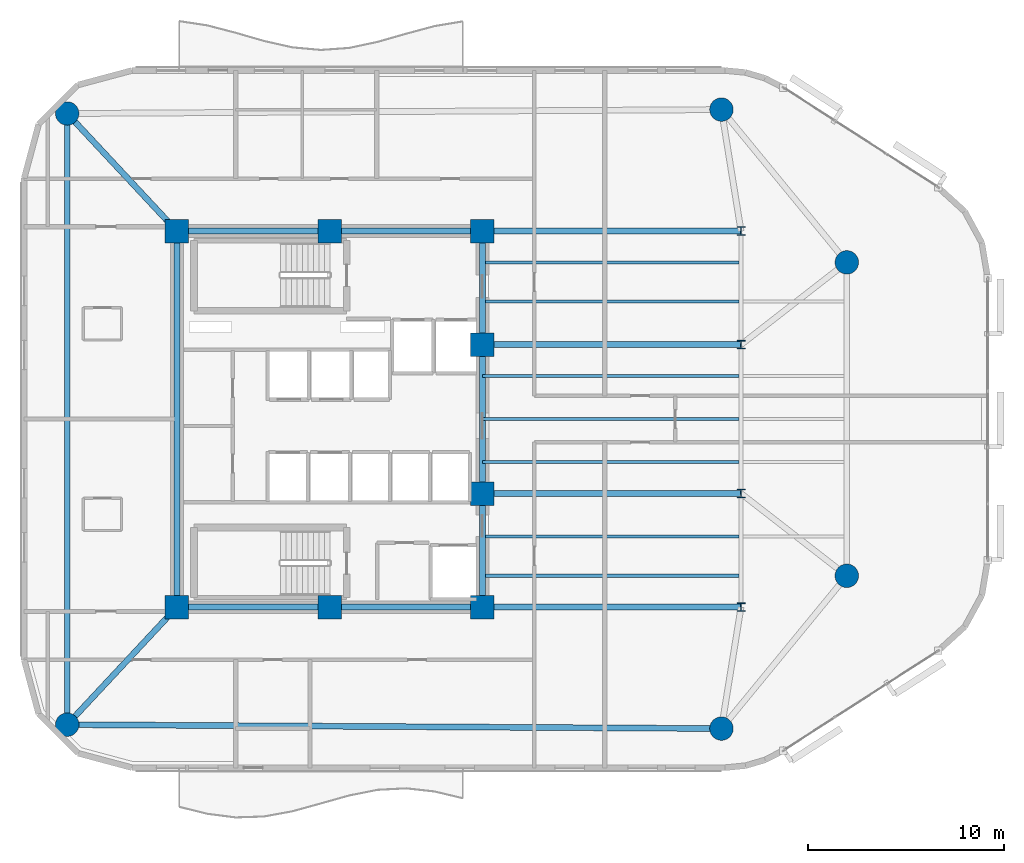
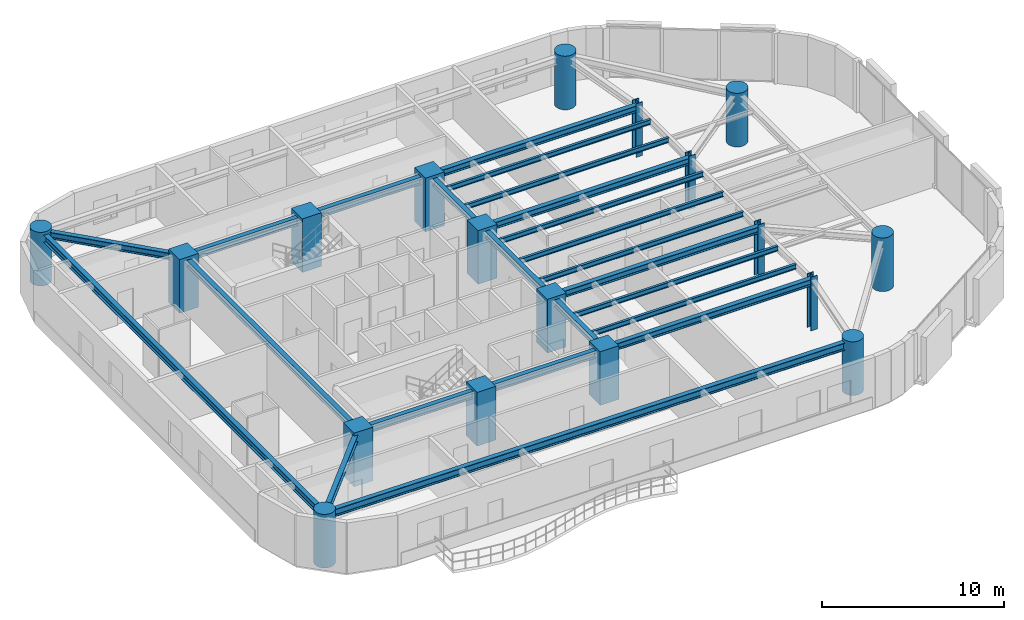
# One storey, part 1 of 15: 21 beams, 18 columns.
"""IFC4 building model written with IfcOpenShell, lengths in metres."""

from ifc_helpers import new_model, si_unit, direction, frame, origin, origin_2d, place, context, subcontext, project, spatial, rectangle, circle, i_section, extrude, material, material_profile, profile_set, type_object, element, save


model = new_model("IFC4")

# Units and contexts
model_context = context("Model", 3, precision=1e-05, world=origin(), true_north=direction((0.0, 1.0)))
body_context = subcontext(model_context, "Body", "Model", "MODEL_VIEW")
ifc_project = project(units=[si_unit("LENGTHUNIT", "METRE"), si_unit("AREAUNIT", "SQUARE_METRE"), si_unit("VOLUMEUNIT", "CUBIC_METRE"), si_unit("PLANEANGLEUNIT", "RADIAN"), si_unit("MASSUNIT", "GRAM", prefix="KILO")], contexts=[model_context])

# Site, building, storey
site_placement = place(None, origin())
site = spatial("IfcSite", under=ifc_project, at=site_placement, CompositionType="ELEMENT")
building_placement = place(site_placement, origin())
building = spatial("IfcBuilding", under=site, at=building_placement, Name="An Khanh Terracotta Commons", CompositionType="ELEMENT")
storey_placement = place(building_placement, frame((0.0, 0.0, 179.800048828125)))
storey = spatial("IfcBuildingStorey", under=building, at=storey_placement, Name="L47", CompositionType="ELEMENT", Elevation=179.800048828125)

# Columns
ifc_material_1 = material(Name="Concrete C60/75", Category="concrete")
ifc_material_profile_1 = material_profile(ifc_material_1, circle(Radius=0.60009765625, at=origin_2d()), Name="CFST1200")
ifc_profile_set_1 = profile_set([ifc_material_profile_1], Name="Concrete C60/75")
column_type_1 = type_object("IfcColumnType", Name="COL-CFST1200", PredefinedType="COLUMN", material=ifc_profile_set_1)
for number, where, z_axis, x_axis, name in (
    (1, (16.0, 8.39990234375, 0.0), (0.0, 0.0, 1.0), (1.0, 0.0, 0.0), "L47 Perimeter CFST Mega-Column MC-01"),
    (2, (49.39990234375, 8.199951171875, 0.0), (0.0, 0.0, 1.0), (1.0, 0.0, 0.0), "L47 Perimeter CFST Mega-Column MC-02"),
    (3, (55.800048828125, 16.0, 0.0), (0.0, 0.0, 1.0), (1.0, 0.0, 0.0), "L47 Perimeter CFST Mega-Column MC-03"),
    (4, (55.800048828125, 32.0, 0.0), (0.0, 0.0, 1.0), (1.0, 0.0, 0.0), "L47 Perimeter CFST Mega-Column MC-04"),
    (5, (49.39990234375, 39.800048828125, 0.0), (0.0, 0.0, 1.0), (1.0, 0.0, 0.0), "L47 Perimeter CFST Mega-Column MC-05"),
    (6, (16.0, 39.60009765625, 0.0), (0.0, 0.0, 1.0), (1.0, 0.0, 0.0), "L47 Perimeter CFST Mega-Column MC-06"),
):
    element("IfcColumn", number, at=place(storey_placement, frame(where, z_axis=z_axis, x_axis=x_axis)), inside=storey, type_object=column_type_1, Name=name, PredefinedType="COLUMN", context=body_context, shape_type="SweptSolid", body=[
        extrude(circle(Radius=0.60009765625, at=origin_2d()), origin(), (0.0, 0.0, 1.0), 3.599853515625),
    ])
ifc_material_2 = material(Name="Steel S460ML", Category="steel")
ifc_material_profile_2 = material_profile(ifc_material_2, i_section(OverallWidth=0.406005859375, OverallDepth=0.43994140625, WebThickness=0.02392578125, FlangeThickness=0.0390625, FilletRadius=0.014892578125, at=origin_2d()), Name="HD400x314")
ifc_profile_set_2 = profile_set([ifc_material_profile_2], Name="Steel S460ML")
column_type_2 = type_object("IfcColumnType", Name="COL-HD400x314", PredefinedType="COLUMN", material=ifc_profile_set_2)
for number, where, z_axis, x_axis, name in (
    (7, (50.39990234375, 14.39990234375, 0.0), (0.0, 0.0, 1.0), (1.0, 0.0, 0.0), "L47 Interior Frame Column TC-01"),
    (8, (50.39990234375, 20.199951171875, 0.0), (0.0, 0.0, 1.0), (1.0, 0.0, 0.0), "L47 Interior Frame Column TC-02"),
    (9, (50.39990234375, 27.800048828125, 0.0), (0.0, 0.0, 1.0), (1.0, 0.0, 0.0), "L47 Interior Frame Column TC-03"),
    (10, (50.39990234375, 33.60009765625, 0.0), (0.0, 0.0, 1.0), (1.0, 0.0, 0.0), "L47 Interior Frame Column TC-04"),
):
    element("IfcColumn", number, at=place(storey_placement, frame(where, z_axis=z_axis, x_axis=x_axis)), inside=storey, type_object=column_type_2, Name=name, PredefinedType="COLUMN", context=body_context, shape_type="SweptSolid", body=[
        extrude(i_section(OverallWidth=0.406005859375, OverallDepth=0.43994140625, WebThickness=0.02392578125, FlangeThickness=0.0390625, FilletRadius=0.014892578125, at=origin_2d()), origin(), (0.0, 0.0, 1.0), 3.599853515625),
    ])
ifc_material_profile_3 = material_profile(ifc_material_1, rectangle(XDim=1.199951171875, YDim=1.199951171875, at=origin_2d()), Name="RC1200x1200")
ifc_profile_set_3 = profile_set([ifc_material_profile_3], Name="Concrete C60/75")
column_type_3 = type_object("IfcColumnType", Name="COL-RC1200x1200", PredefinedType="COLUMN", material=ifc_profile_set_3)
for number, where, z_axis, x_axis, name in (
    (11, (21.60009765625, 14.39990234375, 0.0), (0.0, 0.0, 1.0), (1.0, 0.0, 0.0), "L47 Core Boundary Column CC-01"),
    (12, (29.39990234375, 14.39990234375, 0.0), (0.0, 0.0, 1.0), (1.0, 0.0, 0.0), "L47 Core Boundary Column CC-02"),
    (13, (37.199951171875, 14.39990234375, 0.0), (0.0, 0.0, 1.0), (1.0, 0.0, 0.0), "L47 Core Boundary Column CC-03"),
    (14, (37.199951171875, 20.199951171875, 0.0), (0.0, 0.0, 1.0), (1.0, 0.0, 0.0), "L47 Core Boundary Column CC-04"),
    (15, (37.199951171875, 27.800048828125, 0.0), (0.0, 0.0, 1.0), (1.0, 0.0, 0.0), "L47 Core Boundary Column CC-05"),
    (16, (37.199951171875, 33.60009765625, 0.0), (0.0, 0.0, 1.0), (1.0, 0.0, 0.0), "L47 Core Boundary Column CC-06"),
    (17, (29.39990234375, 33.60009765625, 0.0), (0.0, 0.0, 1.0), (1.0, 0.0, 0.0), "L47 Core Boundary Column CC-07"),
    (18, (21.60009765625, 33.60009765625, 0.0), (0.0, 0.0, 1.0), (1.0, 0.0, 0.0), "L47 Core Boundary Column CC-08"),
):
    element("IfcColumn", number, at=place(storey_placement, frame(where, z_axis=z_axis, x_axis=x_axis)), inside=storey, type_object=column_type_3, Name=name, PredefinedType="COLUMN", context=body_context, shape_type="SweptSolid", body=[
        extrude(rectangle(XDim=1.199951171875, YDim=1.199951171875, at=origin_2d()), origin(), (0.0, 0.0, 1.0), 3.599853515625),
    ])

# Beams
ifc_material_3 = material(Name="Steel S355J2", Category="steel")
ifc_material_profile_4 = material_profile(ifc_material_3, i_section(OverallWidth=0.300048828125, OverallDepth=0.449951171875, WebThickness=0.013916015625, FlangeThickness=0.02587890625, FilletRadius=0.027099609375, at=origin_2d()), Name="HEB450")
ifc_profile_set_4 = profile_set([ifc_material_profile_4], Name="Steel S355J2")
beam_type_1 = type_object("IfcBeamType", Name="BM-HEB450", PredefinedType="BEAM", material=ifc_profile_set_4)
beam_1_placement = place(storey_placement, frame((37.199951171875, 14.39990234375, 3.175048828125), z_axis=(0.0, 1.0, 0.0), x_axis=(-1.0, 0.0, 0.0)))
element("IfcBeam", 19, at=beam_1_placement, inside=storey, type_object=beam_type_1, Name="L47 Core East Coupling Girder 1", PredefinedType="BEAM", context=body_context, shape_type="SweptSolid", body=[
    extrude(i_section(OverallWidth=0.300048828125, OverallDepth=0.449951171875, WebThickness=0.013916015625, FlangeThickness=0.02587890625, FilletRadius=0.027099609375, at=origin_2d()), origin(), (0.0, 0.0, 1.0), 5.800048828125),
])
beam_2_placement = place(storey_placement, frame((37.199951171875, 20.199951171875, 3.175048828125), z_axis=(0.0, 1.0, 0.0), x_axis=(-1.0, 0.0, 0.0)))
element("IfcBeam", 20, at=beam_2_placement, inside=storey, type_object=beam_type_1, Name="L47 Core East Coupling Girder 2", PredefinedType="BEAM", context=body_context, shape_type="SweptSolid", body=[
    extrude(i_section(OverallWidth=0.300048828125, OverallDepth=0.449951171875, WebThickness=0.013916015625, FlangeThickness=0.02587890625, FilletRadius=0.027099609375, at=origin_2d()), origin(), (0.0, 0.0, 1.0), 7.60009765625),
])
beam_3_placement = place(storey_placement, frame((37.199951171875, 27.800048828125, 3.175048828125), z_axis=(0.0, 1.0, 0.0), x_axis=(-1.0, 0.0, 0.0)))
element("IfcBeam", 21, at=beam_3_placement, inside=storey, type_object=beam_type_1, Name="L47 Core East Coupling Girder 3", PredefinedType="BEAM", context=body_context, shape_type="SweptSolid", body=[
    extrude(i_section(OverallWidth=0.300048828125, OverallDepth=0.449951171875, WebThickness=0.013916015625, FlangeThickness=0.02587890625, FilletRadius=0.027099609375, at=origin_2d()), origin(), (0.0, 0.0, 1.0), 5.800048828125),
])
beam_4_placement = place(storey_placement, frame((21.60009765625, 14.39990234375, 3.175048828125), z_axis=(0.0, 1.0, 0.0), x_axis=(-1.0, 0.0, 0.0)))
element("IfcBeam", 22, at=beam_4_placement, inside=storey, type_object=beam_type_1, Name="L47 Core West Coupling Girder", PredefinedType="BEAM", context=body_context, shape_type="SweptSolid", body=[
    extrude(i_section(OverallWidth=0.300048828125, OverallDepth=0.449951171875, WebThickness=0.013916015625, FlangeThickness=0.02587890625, FilletRadius=0.027099609375, at=origin_2d()), origin(), (0.0, 0.0, 1.0), 19.2001953125),
])
for number, where, z_axis, x_axis, name in (
    (23, (37.199951171875, 14.39990234375, 3.175048828125), (1.0, 0.0, 0.0), (0.0, 1.0, 0.0), "L47 East Primary Floor Girder 1"),
    (24, (37.199951171875, 20.199951171875, 3.175048828125), (1.0, 0.0, 0.0), (0.0, 1.0, 0.0), "L47 East Primary Floor Girder 2"),
    (25, (37.199951171875, 27.800048828125, 3.175048828125), (1.0, 0.0, 0.0), (0.0, 1.0, 0.0), "L47 East Primary Floor Girder 3"),
    (26, (37.199951171875, 33.60009765625, 3.175048828125), (1.0, 0.0, 0.0), (0.0, 1.0, 0.0), "L47 East Primary Floor Girder 4"),
):
    element("IfcBeam", number, at=place(storey_placement, frame(where, z_axis=z_axis, x_axis=x_axis)), inside=storey, type_object=beam_type_1, Name=name, PredefinedType="BEAM", context=body_context, shape_type="SweptSolid", body=[
        extrude(i_section(OverallWidth=0.300048828125, OverallDepth=0.449951171875, WebThickness=0.013916015625, FlangeThickness=0.02587890625, FilletRadius=0.027099609375, at=origin_2d()), origin(), (0.0, 0.0, 1.0), 13.199951171875),
    ])
for number, where, z_axis, x_axis, name in (
    (27, (16.0, 8.39990234375, 3.175048828125), (0.682324609438, 0.731049333052, 0.0), (-0.731049333052, 0.682324609438, 0.0), "L47 Mega-Column Tie Girder 1"),
    (28, (16.0, 39.60009765625, 3.175048828125), (0.682324609438, -0.731049333052, 0.0), (0.731049333052, 0.682324609438, 0.0), "L47 Mega-Column Tie Girder 6"),
):
    element("IfcBeam", number, at=place(storey_placement, frame(where, z_axis=z_axis, x_axis=x_axis)), inside=storey, type_object=beam_type_1, Name=name, PredefinedType="BEAM", context=body_context, shape_type="SweptSolid", body=[
        extrude(i_section(OverallWidth=0.300048828125, OverallDepth=0.449951171875, WebThickness=0.013916015625, FlangeThickness=0.02587890625, FilletRadius=0.027099609375, at=origin_2d()), origin(), (0.0, 0.0, 1.0), 8.207275390625),
    ])
ifc_material_profile_5 = material_profile(ifc_material_3, i_section(OverallWidth=0.300048828125, OverallDepth=0.5, WebThickness=0.014404296875, FlangeThickness=0.028076171875, FilletRadius=0.027099609375, at=origin_2d()), Name="HEB500")
ifc_profile_set_5 = profile_set([ifc_material_profile_5], Name="Steel S355J2")
beam_type_2 = type_object("IfcBeamType", Name="BM-HEB500", PredefinedType="BEAM", material=ifc_profile_set_5)
for number, where, z_axis, x_axis, name in (
    (29, (21.60009765625, 14.39990234375, 3.14990234375), (1.0, 0.0, 0.0), (0.0, 1.0, 0.0), "L47 Core South Coupling Girder"),
    (30, (21.60009765625, 33.60009765625, 3.14990234375), (1.0, 0.0, 0.0), (0.0, 1.0, 0.0), "L47 Core North Coupling Girder"),
):
    element("IfcBeam", number, at=place(storey_placement, frame(where, z_axis=z_axis, x_axis=x_axis)), inside=storey, type_object=beam_type_2, Name=name, PredefinedType="BEAM", context=body_context, shape_type="SweptSolid", body=[
        extrude(i_section(OverallWidth=0.300048828125, OverallDepth=0.5, WebThickness=0.014404296875, FlangeThickness=0.028076171875, FilletRadius=0.027099609375, at=origin_2d()), origin(), (0.0, 0.0, 1.0), 15.599853515625),
    ])
beam_5_placement = place(storey_placement, frame((16.0, 8.39990234375, 3.14990234375), z_axis=(0.999982080914, -0.005986472262, 0.0), x_axis=(0.005986472262, 0.999982080914, 0.0)))
element("IfcBeam", 31, at=beam_5_placement, inside=storey, type_object=beam_type_2, Name="L47 Perimeter Ring Spandrel 1", PredefinedType="BEAM", context=body_context, shape_type="SweptSolid", body=[
    extrude(i_section(OverallWidth=0.300048828125, OverallDepth=0.5, WebThickness=0.014404296875, FlangeThickness=0.028076171875, FilletRadius=0.027099609375, at=origin_2d()), origin(), (0.0, 0.0, 1.0), 33.400390625),
])
beam_6_placement = place(storey_placement, frame((16.0, 39.60009765625, 3.14990234375), z_axis=(0.0, -1.0, 0.0), x_axis=(1.0, 0.0, 0.0)))
element("IfcBeam", 32, at=beam_6_placement, inside=storey, type_object=beam_type_2, Name="L47 Perimeter Ring Spandrel 6", PredefinedType="BEAM", context=body_context, shape_type="SweptSolid", body=[
    extrude(i_section(OverallWidth=0.300048828125, OverallDepth=0.5, WebThickness=0.014404296875, FlangeThickness=0.028076171875, FilletRadius=0.027099609375, at=origin_2d()), origin(), (0.0, 0.0, 1.0), 31.2001953125),
])
ifc_material_profile_6 = material_profile(ifc_material_3, i_section(OverallWidth=0.159912109375, OverallDepth=0.330078125, WebThickness=0.007568359375, FlangeThickness=0.011474609375, FilletRadius=0.01806640625, at=origin_2d()), Name="IPE330")
ifc_profile_set_6 = profile_set([ifc_material_profile_6], Name="Steel S355J2")
beam_type_3 = type_object("IfcBeamType", Name="BM-IPE330", PredefinedType="JOIST", material=ifc_profile_set_6)
for number, where, z_axis, x_axis, name in (
    (33, (37.199951171875, 16.0, 3.23486328125), (1.0, 0.0, 0.0), (0.0, 1.0, 0.0), "L47 Inboard Composite Joist 1"),
    (34, (37.199951171875, 18.0, 3.23486328125), (1.0, 0.0, 0.0), (0.0, 1.0, 0.0), "L47 Inboard Composite Joist 2"),
    (35, (37.199951171875, 21.800048828125, 3.23486328125), (1.0, 0.0, 0.0), (0.0, 1.0, 0.0), "L47 Inboard Composite Joist 3"),
    (36, (37.199951171875, 24.0, 3.23486328125), (1.0, 0.0, 0.0), (0.0, 1.0, 0.0), "L47 Inboard Composite Joist 4"),
    (37, (37.199951171875, 26.199951171875, 3.23486328125), (1.0, 0.0, 0.0), (0.0, 1.0, 0.0), "L47 Inboard Composite Joist 5"),
    (38, (37.199951171875, 30.0, 3.23486328125), (1.0, 0.0, 0.0), (0.0, 1.0, 0.0), "L47 Inboard Composite Joist 6"),
    (39, (37.199951171875, 32.0, 3.23486328125), (1.0, 0.0, 0.0), (0.0, 1.0, 0.0), "L47 Inboard Composite Joist 7"),
):
    element("IfcBeam", number, at=place(storey_placement, frame(where, z_axis=z_axis, x_axis=x_axis)), inside=storey, type_object=beam_type_3, Name=name, PredefinedType="JOIST", context=body_context, shape_type="SweptSolid", body=[
        extrude(i_section(OverallWidth=0.159912109375, OverallDepth=0.330078125, WebThickness=0.007568359375, FlangeThickness=0.011474609375, FilletRadius=0.01806640625, at=origin_2d()), origin(), (0.0, 0.0, 1.0), 13.10009765625),
    ])

save(model, "model.ifc")
